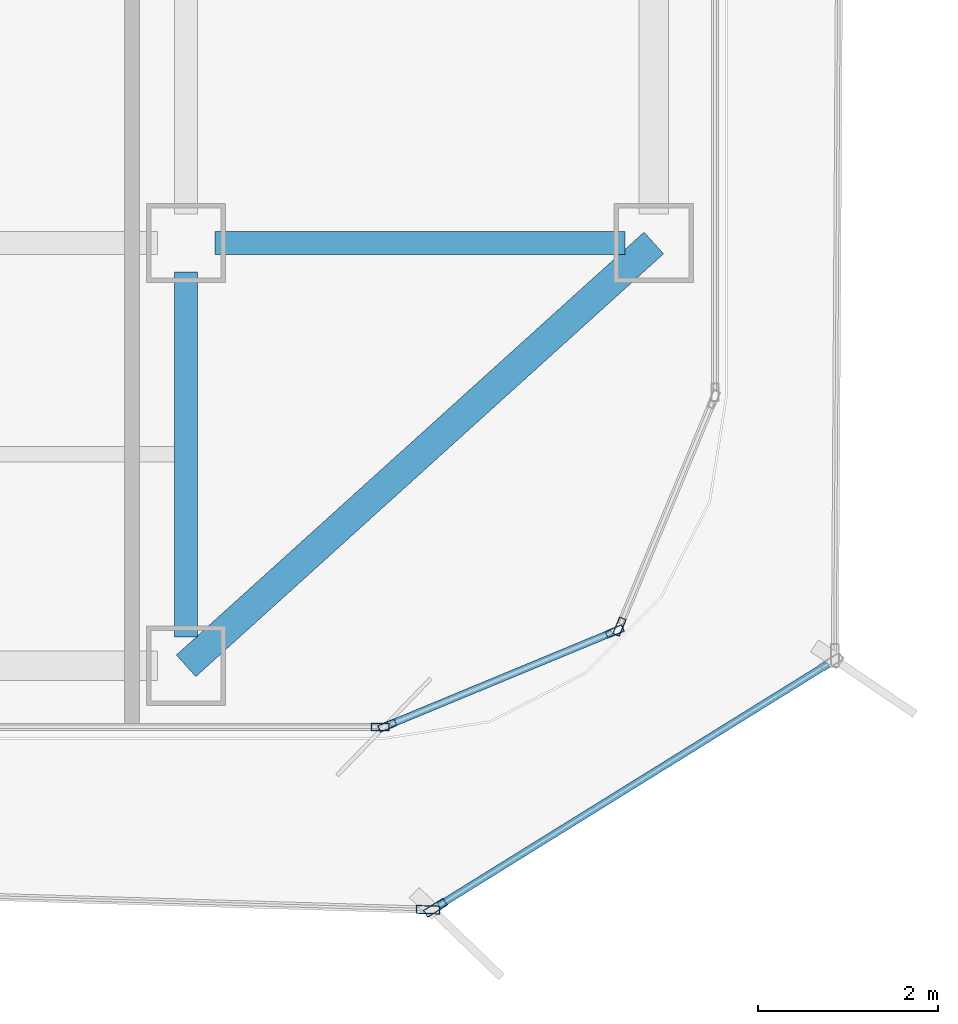
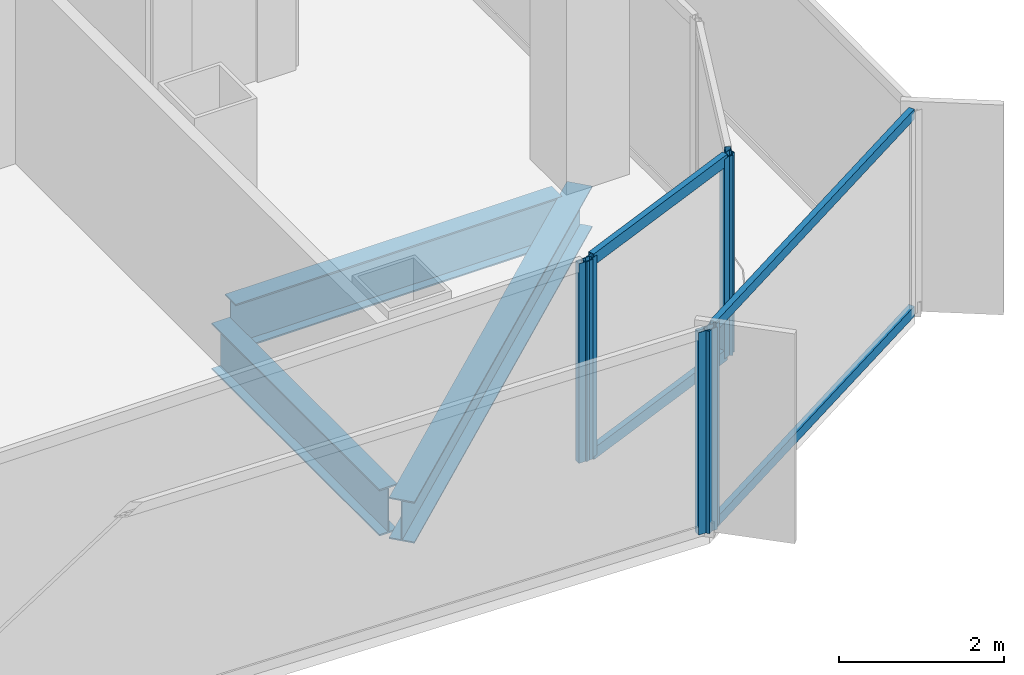
# One storey, part 6 of 21: 10 members, 3 beams, 5 elements without a shape of their own.
"""IFC4 building model written with IfcOpenShell, lengths in metres."""

from ifc_helpers import new_model, si_unit, direction, frame, origin, origin_2d, place, context, subcontext, project, spatial, hollow_rectangle, i_section, extrude, source, transform, mapped, material, layer, layer_set, material_profile, profile_set, type_object, element, aggregate, save


model = new_model("IFC4")

# Units and contexts
model_context = context("Model", 3, precision=1e-05, world=origin(), true_north=direction((0.0, 1.0)))
body_context = subcontext(model_context, "Body", "Model", "MODEL_VIEW")
ifc_project = project(units=[si_unit("LENGTHUNIT", "METRE"), si_unit("AREAUNIT", "SQUARE_METRE"), si_unit("VOLUMEUNIT", "CUBIC_METRE"), si_unit("PLANEANGLEUNIT", "RADIAN"), si_unit("MASSUNIT", "GRAM", prefix="KILO")], contexts=[model_context])

# Site, building, storey
site_placement = place(None, origin())
site = spatial("IfcSite", under=ifc_project, at=site_placement, CompositionType="ELEMENT")
building_placement = place(site_placement, origin())
building = spatial("IfcBuilding", under=site, at=building_placement, Name="Kolveth Station Tower", CompositionType="ELEMENT")
storey_placement = place(building_placement, frame((0.0, 0.0, 131.10009765625)))
storey = spatial("IfcBuildingStorey", under=building, at=storey_placement, Name="L36", CompositionType="ELEMENT", Elevation=131.10009765625)

# Beams
ifc_material_1 = material(Name="Steel S355", Category="steel")
ifc_material_profile_1 = material_profile(ifc_material_1, i_section(OverallWidth=0.323974609375, OverallDepth=0.611083984375, WebThickness=0.0126953125, FlangeThickness=0.01904296875, at=origin_2d()), Name="W610x155")
ifc_profile_set_1 = profile_set([ifc_material_profile_1], Name="Steel S355")
beam_type_1 = type_object("IfcBeamType", Name="Beam_SP2", PredefinedType="SPANDREL", material=ifc_profile_set_1)
shared_shape_1 = source(origin(), body_context, "Body", "SweptSolid", [
    extrude(i_section(OverallWidth=0.323974609375, OverallDepth=0.611083984375, WebThickness=0.0126953125, FlangeThickness=0.01904296875, at=origin_2d()), origin(), (0.0, 0.0, 1.0), 7.00927734375),
])
beam_1_placement = place(storey_placement, frame((41.0, 0.800048828125, -0.5556640625), z_axis=(0.741874009795, 0.670539300557, 0.0), x_axis=(-0.670539300557, 0.741874009795, 0.0)))
element("IfcBeam", 1, at=beam_1_placement, inside=storey, type_object=beam_type_1, Name="L36 Corner Edge Girder BM-L36-CNR-SE", PredefinedType="SPANDREL", context=body_context, shape_type="MappedRepresentation", body=[
    mapped(shared_shape_1, transform((0.0, 0.0, 0.0), x_axis=(1.0, 0.0, 0.0), y_axis=(0.0, 1.0, 0.0), z_axis=(0.0, 0.0, 1.0), scale=1.0)),
])
ifc_material_profile_2 = material_profile(ifc_material_1, i_section(OverallWidth=0.25390625, OverallDepth=0.68798828125, WebThickness=0.01318359375, FlangeThickness=0.02099609375, at=origin_2d()), Name="W690x152")
ifc_profile_set_2 = profile_set([ifc_material_profile_2], Name="Steel S355")
beam_type_2 = type_object("IfcBeamType", Name="Beam_B4", PredefinedType="BEAM", material=ifc_profile_set_2)
shared_shape_2 = source(origin(), body_context, "Body", "SweptSolid", [
    extrude(i_section(OverallWidth=0.25390625, OverallDepth=0.68798828125, WebThickness=0.01318359375, FlangeThickness=0.02099609375, at=origin_2d()), origin(), (0.0, 0.0, 1.0), 4.559814453125),
])
beam_2_placement = place(storey_placement, frame((41.320068359375, 5.5, -0.593994140625), z_axis=(1.0, 0.0, 0.0), x_axis=(0.0, 1.0, 0.0)))
element("IfcBeam", 2, at=beam_2_placement, inside=storey, type_object=beam_type_2, Name="L36 Primary Girder BM-L36-GY55-7", PredefinedType="BEAM", context=body_context, shape_type="MappedRepresentation", body=[
    mapped(shared_shape_2, transform((0.0, 0.0, 0.0), x_axis=(1.0, 0.0, 0.0), y_axis=(0.0, 1.0, 0.0), z_axis=(0.0, 0.0, 1.0), scale=1.0)),
])
shared_shape_3 = source(origin(), body_context, "Body", "SweptSolid", [
    extrude(i_section(OverallWidth=0.25390625, OverallDepth=0.68798828125, WebThickness=0.01318359375, FlangeThickness=0.02099609375, at=origin_2d()), origin(), (0.0, 0.0, 1.0), 4.059814453125),
])
beam_3_placement = place(storey_placement, frame((41.0, 1.1201171875, -0.593994140625), z_axis=(0.0, 1.0, 0.0), x_axis=(-1.0, 0.0, 0.0)))
element("IfcBeam", 3, at=beam_3_placement, inside=storey, type_object=beam_type_2, Name="L36 Primary Girder BM-L36-GX410-1", PredefinedType="BEAM", context=body_context, shape_type="MappedRepresentation", body=[
    mapped(shared_shape_3, transform((0.0, 0.0, 0.0), x_axis=(1.0, 0.0, 0.0), y_axis=(0.0, 1.0, 0.0), z_axis=(0.0, 0.0, 1.0), scale=1.0)),
])

# Curtain wall, members
ifc_material_2 = material(Name="Aluminium 6063-T6 and low-E dark glass", Category="aluminium")
ifc_layer_1 = layer(ifc_material_2, 0.18994140625)
ifc_layer_set_1 = layer_set([ifc_layer_1], Name="Aluminium 6063-T6 and low-E dark glass")
curtain_wall_type_1 = type_object("IfcCurtainWallType", Name="CurtainWall_CW-Z2", PredefinedType="NOTDEFINED", material=ifc_layer_set_1)
curtain_wall_1_placement = place(storey_placement, origin())
curtain_wall_1 = element("IfcCurtainWall", 4, at=curtain_wall_1_placement, inside=storey, type_object=curtain_wall_type_1, Name="L36 Inner Thermal Curtain Wall 1", PredefinedType="NOTDEFINED")
ifc_material_3 = material(Name="Black anodized aluminium 6063-T6", Category="aluminium")
ifc_material_profile_3 = material_profile(ifc_material_3, hollow_rectangle(XDim=0.080078125, YDim=0.199951171875, WallThickness=0.0048828125, at=origin_2d()), Name="ALU-80x200x5")
ifc_profile_set_3 = profile_set([ifc_material_profile_3], Name="Black anodized aluminium 6063-T6")
member_type_1 = type_object("IfcMemberType", Name="Mullion_ML2", PredefinedType="MULLION", material=ifc_profile_set_3)
shared_shape_4 = source(origin(), body_context, "Body", "SweptSolid", [
    extrude(hollow_rectangle(XDim=0.080078125, YDim=0.199951171875, WallThickness=0.0048828125, at=origin_2d()), origin(), (0.0, 0.0, 1.0), 2.949951171875),
])
member_1_placement = place(storey_placement, frame((43.237060546875, 0.13525390625, 0.0), z_axis=(0.0, 0.0, 1.0), x_axis=(-0.38266326998, 0.923887883787, 0.0)))
member_1 = element("IfcMember", 5, at=member_1_placement, type_object=member_type_1, Name="CW-Z2 mullion 1", PredefinedType="MULLION", context=body_context, shape_type="MappedRepresentation", body=[
    mapped(shared_shape_4, transform((0.0, 0.0, 0.0), x_axis=(1.0, 0.0, 0.0), y_axis=(0.0, 1.0, 0.0), z_axis=(0.0, 0.0, 1.0), scale=1.0)),
])
member_2_placement = place(storey_placement, frame((45.76513671875, 1.182373046875, 0.0), z_axis=(0.0, 0.0, 1.0), x_axis=(-0.38266326998, 0.923887883787, 0.0)))
member_2 = element("IfcMember", 6, at=member_2_placement, type_object=member_type_1, Name="CW-Z2 mullion 2", PredefinedType="MULLION", context=body_context, shape_type="MappedRepresentation", body=[
    mapped(shared_shape_4, transform((0.0, 0.0, 0.0), x_axis=(1.0, 0.0, 0.0), y_axis=(0.0, 1.0, 0.0), z_axis=(0.0, 0.0, 1.0), scale=1.0)),
])

# Curtain wall, member
curtain_wall_2_placement = place(storey_placement, origin())
curtain_wall_2 = element("IfcCurtainWall", 7, at=curtain_wall_2_placement, inside=storey, type_object=curtain_wall_type_1, Name="L36 Inner Thermal Curtain Wall 2", PredefinedType="NOTDEFINED")
member_3_placement = place(storey_placement, frame((45.817626953125, 1.23486328125, 0.0), z_axis=(0.0, 0.0, 1.0), x_axis=(-0.923887883787, 0.38266326998, 0.0)))
member_3 = element("IfcMember", 8, at=member_3_placement, type_object=member_type_1, Name="CW-Z2 mullion 1", PredefinedType="MULLION", context=body_context, shape_type="MappedRepresentation", body=[
    mapped(shared_shape_4, transform((0.0, 0.0, 0.0), x_axis=(1.0, 0.0, 0.0), y_axis=(0.0, 1.0, 0.0), z_axis=(0.0, 0.0, 1.0), scale=1.0)),
])
aggregate(curtain_wall_2, [member_3])

curtain_wall_3_placement = place(storey_placement, origin())
curtain_wall_3 = element("IfcCurtainWall", 9, at=curtain_wall_3_placement, inside=storey, type_object=curtain_wall_type_1, Name="L36 Inner Thermal Curtain Wall 12", PredefinedType="NOTDEFINED")
member_4_placement = place(storey_placement, frame((43.159912109375, 0.1201171875, 0.0), z_axis=(0.0, 0.0, 1.0), x_axis=(0.0, 1.0, 0.0)))
member_4 = element("IfcMember", 10, at=member_4_placement, type_object=member_type_1, Name="CW-Z2 mullion 3", PredefinedType="MULLION", context=body_context, shape_type="MappedRepresentation", body=[
    mapped(shared_shape_4, transform((0.0, 0.0, 0.0), x_axis=(1.0, 0.0, 0.0), y_axis=(0.0, 1.0, 0.0), z_axis=(0.0, 0.0, 1.0), scale=1.0)),
])
aggregate(curtain_wall_3, [member_4])

# Member
ifc_material_profile_4 = material_profile(ifc_material_3, hollow_rectangle(XDim=0.080078125, YDim=0.169921875, WallThickness=0.0048828125, at=origin_2d()), Name="ALU-80x170x5")
ifc_profile_set_4 = profile_set([ifc_material_profile_4], Name="Black anodized aluminium 6063-T6")
member_type_2 = type_object("IfcMemberType", Name="Transom_TR2", PredefinedType="USERDEFINED", material=ifc_profile_set_4)
shared_shape_5 = source(origin(), body_context, "Body", "SweptSolid", [
    extrude(hollow_rectangle(XDim=0.080078125, YDim=0.169921875, WallThickness=0.0048828125, at=origin_2d()), origin(), (0.0, 0.0, 1.0), 2.656494140625),
])
member_5_placement = place(storey_placement, frame((43.27392578125, 0.150634765625, 0.039794921875), z_axis=(0.923882422403, 0.382676455475, 0.0), x_axis=(-0.382676455475, 0.923882422403, 0.0)))
member_5 = element("IfcMember", 11, at=member_5_placement, type_object=member_type_2, Name="CW-Z2 transom 1.1", ObjectType="TRANSOM", PredefinedType="USERDEFINED", context=body_context, shape_type="MappedRepresentation", body=[
    mapped(shared_shape_5, transform((0.0, 0.0, 0.0), x_axis=(1.0, 0.0, 0.0), y_axis=(0.0, 1.0, 0.0), z_axis=(0.0, 0.0, 1.0), scale=1.0)),
])

member_6_placement = place(storey_placement, frame((43.27392578125, 0.150634765625, 2.909912109375), z_axis=(0.923882422403, 0.382676455475, 0.0), x_axis=(-0.382676455475, 0.923882422403, 0.0)))
member_6 = element("IfcMember", 12, at=member_6_placement, type_object=member_type_2, Name="CW-Z2 transom 1.2", ObjectType="TRANSOM", PredefinedType="USERDEFINED", context=body_context, shape_type="MappedRepresentation", body=[
    mapped(shared_shape_5, transform((0.0, 0.0, 0.0), x_axis=(1.0, 0.0, 0.0), y_axis=(0.0, 1.0, 0.0), z_axis=(0.0, 0.0, 1.0), scale=1.0)),
])

aggregate(curtain_wall_1, [member_1, member_2, member_5, member_6])

# Curtain wall, member
ifc_material_4 = material(Name="Black anodized aluminium 6063-T6 and dark solar glass", Category="aluminium")
ifc_layer_2 = layer(ifc_material_4, 0.159912109375)
ifc_layer_set_2 = layer_set([ifc_layer_2], Name="Black anodized aluminium 6063-T6 and dark solar glass")
curtain_wall_type_2 = type_object("IfcCurtainWallType", Name="OUTER SKIN CW-OS", PredefinedType="NOTDEFINED", material=ifc_layer_set_2)
curtain_wall_4_placement = place(storey_placement, origin())
curtain_wall_4 = element("IfcCurtainWall", 13, at=curtain_wall_4_placement, inside=storey, type_object=curtain_wall_type_2, Name="L36 Outer Ventilated Skin Curtain Wall 1", PredefinedType="NOTDEFINED")
ifc_material_profile_5 = material_profile(ifc_material_3, hollow_rectangle(XDim=0.090087890625, YDim=0.260009765625, WallThickness=0.0048828125, at=origin_2d()), Name="ALU-90x260x5")
ifc_profile_set_5 = profile_set([ifc_material_profile_5], Name="Black anodized aluminium 6063-T6")
member_type_3 = type_object("IfcMemberType", Name="FIN MULLION ML-OS", PredefinedType="MULLION", material=ifc_profile_set_5)
shared_shape_6 = source(origin(), body_context, "Body", "SweptSolid", [
    extrude(hollow_rectangle(XDim=0.090087890625, YDim=0.260009765625, WallThickness=0.0048828125, at=origin_2d()), origin(), (0.0, 0.0, 1.0), 2.989990234375),
])
member_7_placement = place(storey_placement, frame((43.7724609375, -1.88916015625, 0.0), z_axis=(0.0, 0.0, 1.0), x_axis=(-0.527379386637, 0.849629909166, 0.0)))
member_7 = element("IfcMember", 14, at=member_7_placement, type_object=member_type_3, Name="CW-OS mullion 1", PredefinedType="MULLION", context=body_context, shape_type="MappedRepresentation", body=[
    mapped(shared_shape_6, transform((0.0, 0.0, 0.0), x_axis=(1.0, 0.0, 0.0), y_axis=(0.0, 1.0, 0.0), z_axis=(0.0, 0.0, 1.0), scale=1.0)),
])

curtain_wall_5_placement = place(storey_placement, origin())
curtain_wall_5 = element("IfcCurtainWall", 15, at=curtain_wall_5_placement, inside=storey, type_object=curtain_wall_type_2, Name="L36 Outer Ventilated Skin Curtain Wall 8", PredefinedType="NOTDEFINED")
member_8_placement = place(storey_placement, frame((43.689208984375, -1.91162109375, 0.0), z_axis=(0.0, 0.0, 1.0), x_axis=(0.029233594346, 0.999572607148, 0.0)))
member_8 = element("IfcMember", 16, at=member_8_placement, type_object=member_type_3, Name="CW-OS mullion 2", PredefinedType="MULLION", context=body_context, shape_type="MappedRepresentation", body=[
    mapped(shared_shape_6, transform((0.0, 0.0, 0.0), x_axis=(1.0, 0.0, 0.0), y_axis=(0.0, 1.0, 0.0), z_axis=(0.0, 0.0, 1.0), scale=1.0)),
])
aggregate(curtain_wall_5, [member_8])

# Member
ifc_material_profile_6 = material_profile(ifc_material_3, hollow_rectangle(XDim=0.080078125, YDim=0.14990234375, WallThickness=0.0048828125, at=origin_2d()), Name="ALU-80x150x5")
ifc_profile_set_6 = profile_set([ifc_material_profile_6], Name="Black anodized aluminium 6063-T6")
member_type_4 = type_object("IfcMemberType", Name="Transom_TR-OS", PredefinedType="USERDEFINED", material=ifc_profile_set_6)
shared_shape_7 = source(origin(), body_context, "Body", "SweptSolid", [
    extrude(hollow_rectangle(XDim=0.080078125, YDim=0.14990234375, WallThickness=0.0048828125, at=origin_2d()), origin(), (0.0, 0.0, 1.0), 5.09228515625),
])
member_9_placement = place(storey_placement, frame((43.810546875, -1.865478515625, 0.039794921875), z_axis=(0.849637203214, 0.527367635445, 0.0), x_axis=(-0.527367635445, 0.849637203214, 0.0)))
member_9 = element("IfcMember", 17, at=member_9_placement, type_object=member_type_4, Name="CW-OS transom 1.1", ObjectType="TRANSOM", PredefinedType="USERDEFINED", context=body_context, shape_type="MappedRepresentation", body=[
    mapped(shared_shape_7, transform((0.0, 0.0, 0.0), x_axis=(1.0, 0.0, 0.0), y_axis=(0.0, 1.0, 0.0), z_axis=(0.0, 0.0, 1.0), scale=1.0)),
])

member_10_placement = place(storey_placement, frame((43.810546875, -1.865478515625, 2.949951171875), z_axis=(0.849637203214, 0.527367635445, 0.0), x_axis=(-0.527367635445, 0.849637203214, 0.0)))
member_10 = element("IfcMember", 18, at=member_10_placement, type_object=member_type_4, Name="CW-OS transom 1.2", ObjectType="TRANSOM", PredefinedType="USERDEFINED", context=body_context, shape_type="MappedRepresentation", body=[
    mapped(shared_shape_7, transform((0.0, 0.0, 0.0), x_axis=(1.0, 0.0, 0.0), y_axis=(0.0, 1.0, 0.0), z_axis=(0.0, 0.0, 1.0), scale=1.0)),
])

aggregate(curtain_wall_4, [member_7, member_9, member_10])

save(model, "model.ifc")
